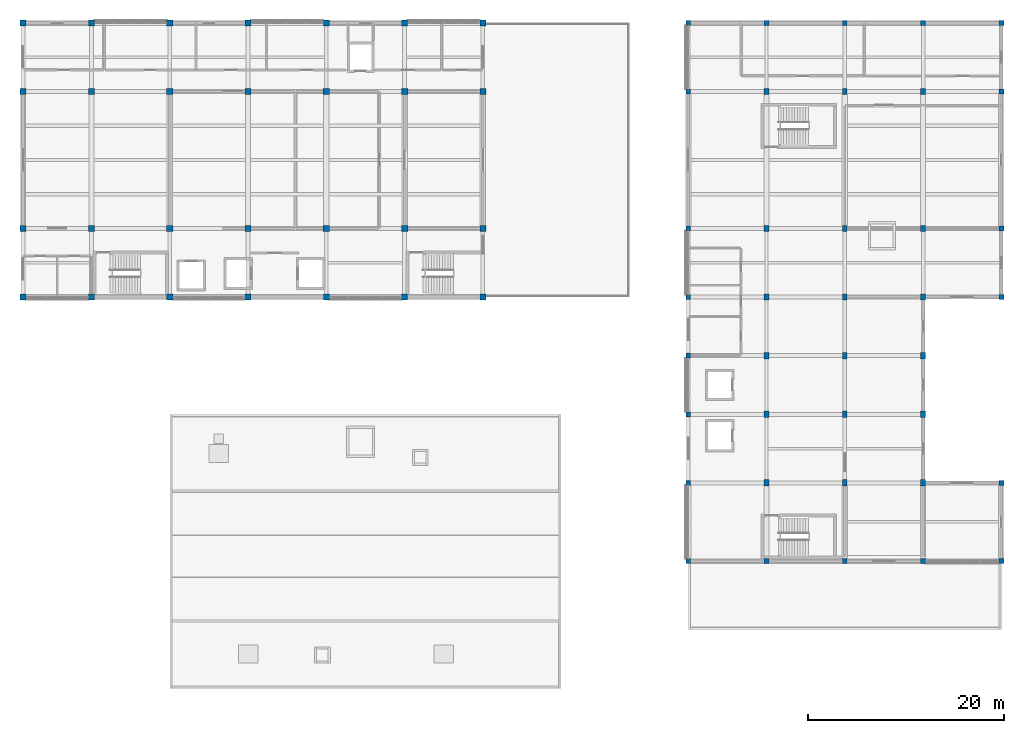
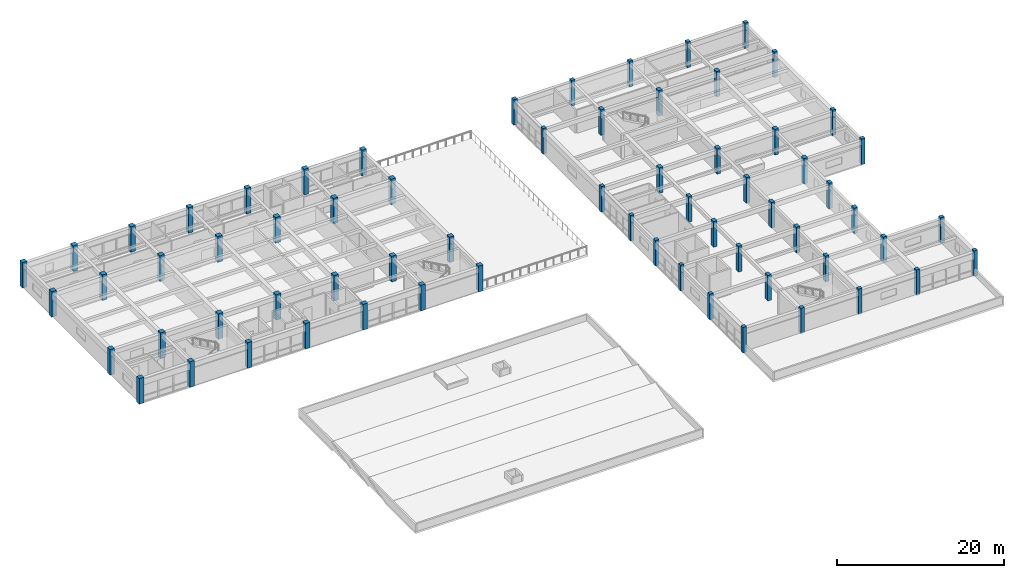
# One storey, part 1 of 22: 66 columns.
"""IFC4 building model written with IfcOpenShell, lengths in metres."""

from ifc_helpers import new_model, si_unit, direction, frame, origin, origin_2d, place, context, subcontext, project, spatial, rectangle, extrude, material, material_profile, profile_set, type_object, element, save


model = new_model("IFC4")

# Units and contexts
model_context = context("Model", 3, precision=1e-05, world=origin(), true_north=direction((0.0, 1.0)))
body_context = subcontext(model_context, "Body", "Model", "MODEL_VIEW")
ifc_project = project(units=[si_unit("LENGTHUNIT", "METRE"), si_unit("AREAUNIT", "SQUARE_METRE"), si_unit("VOLUMEUNIT", "CUBIC_METRE"), si_unit("PLANEANGLEUNIT", "RADIAN"), si_unit("MASSUNIT", "GRAM", prefix="KILO")], contexts=[model_context])

# Site, building, storey
site_placement = place(None, origin())
site = spatial("IfcSite", under=ifc_project, at=site_placement, CompositionType="ELEMENT")
building_placement = place(site_placement, origin())
building = spatial("IfcBuilding", under=site, at=building_placement, Name="Naurynzar Civic Courthouse", CompositionType="ELEMENT")
storey_placement = place(building_placement, frame((0.0, 0.0, 25.800048828125)))
storey = spatial("IfcBuildingStorey", under=building, at=storey_placement, Name="L07", CompositionType="ELEMENT", Elevation=25.800048828125)

# Columns
ifc_material_1 = material(Name="Concrete C40/50", Category="concrete")
ifc_material_profile_1 = material_profile(ifc_material_1, rectangle(XDim=0.5, YDim=0.5, at=origin_2d()), Name="RC 500x500")
ifc_profile_set_1 = profile_set([ifc_material_profile_1], Name="Concrete C40/50")
column_type_1 = type_object("IfcColumnType", Name="COL-RC-500x500", PredefinedType="COLUMN", material=ifc_profile_set_1)
for number, where, z_axis, x_axis, name in (
    (1, (130.0, 17.0, 0.0), (0.0, 0.0, 1.0), (1.0, 0.0, 0.0), "V5 column (130.0,17.0) L07"),
    (2, (130.0, 25.0, 0.0), (0.0, 0.0, 1.0), (1.0, 0.0, 0.0), "V5 column (130.0,25.0) L07"),
    (3, (130.0, 32.0, 0.0), (0.0, 0.0, 1.0), (1.0, 0.0, 0.0), "V5 column (130.0,32.0) L07"),
    (4, (130.0, 38.0, 0.0), (0.0, 0.0, 1.0), (1.0, 0.0, 0.0), "V5 column (130.0,38.0) L07"),
    (5, (130.0, 44.0, 0.0), (0.0, 0.0, 1.0), (1.0, 0.0, 0.0), "V5 column (130.0,44.0) L07"),
    (6, (130.0, 51.0, 0.0), (0.0, 0.0, 1.0), (1.0, 0.0, 0.0), "V5 column (130.0,51.0) L07"),
    (7, (130.0, 65.0, 0.0), (0.0, 0.0, 1.0), (1.0, 0.0, 0.0), "V5 column (130.0,65.0) L07"),
    (8, (130.0, 72.0, 0.0), (0.0, 0.0, 1.0), (1.0, 0.0, 0.0), "V5 column (130.0,72.0) L07"),
    (9, (138.0, 17.0, 0.0), (0.0, 0.0, 1.0), (1.0, 0.0, 0.0), "V5 column (138.0,17.0) L07"),
    (10, (138.0, 72.0, 0.0), (0.0, 0.0, 1.0), (1.0, 0.0, 0.0), "V5 column (138.0,72.0) L07"),
    (11, (146.0, 17.0, 0.0), (0.0, 0.0, 1.0), (1.0, 0.0, 0.0), "V5 column (146.0,17.0) L07"),
    (12, (146.0, 72.0, 0.0), (0.0, 0.0, 1.0), (1.0, 0.0, 0.0), "V5 column (146.0,72.0) L07"),
    (13, (154.0, 17.0, 0.0), (0.0, 0.0, 1.0), (1.0, 0.0, 0.0), "V5 column (154.0,17.0) L07"),
    (14, (154.0, 72.0, 0.0), (0.0, 0.0, 1.0), (1.0, 0.0, 0.0), "V5 column (154.0,72.0) L07"),
    (15, (162.0, 17.0, 0.0), (0.0, 0.0, 1.0), (1.0, 0.0, 0.0), "V5 column (162.0,17.0) L07"),
    (16, (162.0, 25.0, 0.0), (0.0, 0.0, 1.0), (1.0, 0.0, 0.0), "V5 column (162.0,25.0) L07"),
    (17, (162.0, 44.0, 0.0), (0.0, 0.0, 1.0), (1.0, 0.0, 0.0), "V5 column (162.0,44.0) L07"),
    (18, (162.0, 51.0, 0.0), (0.0, 0.0, 1.0), (1.0, 0.0, 0.0), "V5 column (162.0,51.0) L07"),
    (19, (162.0, 65.0, 0.0), (0.0, 0.0, 1.0), (1.0, 0.0, 0.0), "V5 column (162.0,65.0) L07"),
    (20, (162.0, 72.0, 0.0), (0.0, 0.0, 1.0), (1.0, 0.0, 0.0), "V5 column (162.0,72.0) L07"),
):
    element("IfcColumn", number, at=place(storey_placement, frame(where, z_axis=z_axis, x_axis=x_axis)), inside=storey, type_object=column_type_1, Name=name, PredefinedType="COLUMN", context=body_context, shape_type="SweptSolid", body=[
        extrude(rectangle(XDim=0.5, YDim=0.5, at=origin_2d()), origin(), (0.0, 0.0, 1.0), 3.75),
    ])
ifc_material_2 = material(Name="Concrete C40/50", Category="concrete")
ifc_material_profile_2 = material_profile(ifc_material_2, rectangle(XDim=0.5, YDim=0.64990234375, at=origin_2d()), Name="RC 500x650")
ifc_profile_set_2 = profile_set([ifc_material_profile_2], Name="Concrete C40/50")
column_type_2 = type_object("IfcColumnType", Name="COL-RC-500x650", PredefinedType="COLUMN", material=ifc_profile_set_2)
for number, where, z_axis, x_axis, name in (
    (21, (138.0, 25.0, 0.0), (0.0, 0.0, 1.0), (1.0, 0.0, 0.0), "V5 column (138.0,25.0) L07"),
    (22, (138.0, 32.0, 0.0), (0.0, 0.0, 1.0), (1.0, 0.0, 0.0), "V5 column (138.0,32.0) L07"),
    (23, (138.0, 38.0, 0.0), (0.0, 0.0, 1.0), (1.0, 0.0, 0.0), "V5 column (138.0,38.0) L07"),
    (24, (138.0, 44.0, 0.0), (0.0, 0.0, 1.0), (1.0, 0.0, 0.0), "V5 column (138.0,44.0) L07"),
    (25, (138.0, 51.0, 0.0), (0.0, 0.0, 1.0), (1.0, 0.0, 0.0), "V5 column (138.0,51.0) L07"),
    (26, (138.0, 65.0, 0.0), (0.0, 0.0, 1.0), (1.0, 0.0, 0.0), "V5 column (138.0,65.0) L07"),
    (27, (146.0, 25.0, 0.0), (0.0, 0.0, 1.0), (1.0, 0.0, 0.0), "V5 column (146.0,25.0) L07"),
    (28, (146.0, 32.0, 0.0), (0.0, 0.0, 1.0), (1.0, 0.0, 0.0), "V5 column (146.0,32.0) L07"),
    (29, (146.0, 38.0, 0.0), (0.0, 0.0, 1.0), (1.0, 0.0, 0.0), "V5 column (146.0,38.0) L07"),
    (30, (146.0, 44.0, 0.0), (0.0, 0.0, 1.0), (1.0, 0.0, 0.0), "V5 column (146.0,44.0) L07"),
    (31, (146.0, 51.0, 0.0), (0.0, 0.0, 1.0), (1.0, 0.0, 0.0), "V5 column (146.0,51.0) L07"),
    (32, (146.0, 65.0, 0.0), (0.0, 0.0, 1.0), (1.0, 0.0, 0.0), "V5 column (146.0,65.0) L07"),
    (33, (154.0, 25.0, 0.0), (0.0, 0.0, 1.0), (1.0, 0.0, 0.0), "V5 column (154.0,25.0) L07"),
    (34, (154.0, 32.0, 0.0), (0.0, 0.0, 1.0), (1.0, 0.0, 0.0), "V5 column (154.0,32.0) L07"),
    (35, (154.0, 38.0, 0.0), (0.0, 0.0, 1.0), (1.0, 0.0, 0.0), "V5 column (154.0,38.0) L07"),
    (36, (154.0, 44.0, 0.0), (0.0, 0.0, 1.0), (1.0, 0.0, 0.0), "V5 column (154.0,44.0) L07"),
    (37, (154.0, 51.0, 0.0), (0.0, 0.0, 1.0), (1.0, 0.0, 0.0), "V5 column (154.0,51.0) L07"),
    (38, (154.0, 65.0, 0.0), (0.0, 0.0, 1.0), (1.0, 0.0, 0.0), "V5 column (154.0,65.0) L07"),
):
    element("IfcColumn", number, at=place(storey_placement, frame(where, z_axis=z_axis, x_axis=x_axis)), inside=storey, type_object=column_type_2, Name=name, PredefinedType="COLUMN", context=body_context, shape_type="SweptSolid", body=[
        extrude(rectangle(XDim=0.5, YDim=0.64990234375, at=origin_2d()), origin(), (0.0, 0.0, 1.0), 3.75),
    ])
ifc_material_3 = material(Name="Concrete C40/50", Category="concrete")
ifc_material_profile_3 = material_profile(ifc_material_3, rectangle(XDim=0.625, YDim=0.625, at=origin_2d()), Name="RC 625x625")
ifc_profile_set_3 = profile_set([ifc_material_profile_3], Name="Concrete C40/50")
column_type_3 = type_object("IfcColumnType", Name="COL-RC-625x625", PredefinedType="COLUMN", material=ifc_profile_set_3)
for number, where, z_axis, x_axis, name in (
    (39, (62.0, 44.0, 0.0), (0.0, 0.0, 1.0), (1.0, 0.0, 0.0), "V2 column (62.0,44.0) L07"),
    (40, (62.0, 51.0, 0.0), (0.0, 0.0, 1.0), (1.0, 0.0, 0.0), "V2 column (62.0,51.0) L07"),
    (41, (62.0, 65.0, 0.0), (0.0, 0.0, 1.0), (1.0, 0.0, 0.0), "V2 column (62.0,65.0) L07"),
    (42, (62.0, 72.0, 0.0), (0.0, 0.0, 1.0), (1.0, 0.0, 0.0), "V2 column (62.0,72.0) L07"),
    (43, (69.0, 44.0, 0.0), (0.0, 0.0, 1.0), (1.0, 0.0, 0.0), "V2 column (69.0,44.0) L07"),
    (44, (69.0, 72.0, 0.0), (0.0, 0.0, 1.0), (1.0, 0.0, 0.0), "V2 column (69.0,72.0) L07"),
    (45, (77.0, 44.0, 0.0), (0.0, 0.0, 1.0), (1.0, 0.0, 0.0), "V2 column (77.0,44.0) L07"),
    (46, (77.0, 72.0, 0.0), (0.0, 0.0, 1.0), (1.0, 0.0, 0.0), "V2 column (77.0,72.0) L07"),
    (47, (85.0, 44.0, 0.0), (0.0, 0.0, 1.0), (1.0, 0.0, 0.0), "V2 column (85.0,44.0) L07"),
    (48, (85.0, 72.0, 0.0), (0.0, 0.0, 1.0), (1.0, 0.0, 0.0), "V2 column (85.0,72.0) L07"),
    (49, (93.0, 44.0, 0.0), (0.0, 0.0, 1.0), (1.0, 0.0, 0.0), "V2 column (93.0,44.0) L07"),
    (50, (93.0, 72.0, 0.0), (0.0, 0.0, 1.0), (1.0, 0.0, 0.0), "V2 column (93.0,72.0) L07"),
    (51, (101.0, 44.0, 0.0), (0.0, 0.0, 1.0), (1.0, 0.0, 0.0), "V2 column (101.0,44.0) L07"),
    (52, (101.0, 72.0, 0.0), (0.0, 0.0, 1.0), (1.0, 0.0, 0.0), "V2 column (101.0,72.0) L07"),
    (53, (109.0, 44.0, 0.0), (0.0, 0.0, 1.0), (1.0, 0.0, 0.0), "V2 column (109.0,44.0) L07"),
    (54, (109.0, 51.0, 0.0), (0.0, 0.0, 1.0), (1.0, 0.0, 0.0), "V2 column (109.0,51.0) L07"),
    (55, (109.0, 65.0, 0.0), (0.0, 0.0, 1.0), (1.0, 0.0, 0.0), "V2 column (109.0,65.0) L07"),
    (56, (109.0, 72.0, 0.0), (0.0, 0.0, 1.0), (1.0, 0.0, 0.0), "V2 column (109.0,72.0) L07"),
):
    element("IfcColumn", number, at=place(storey_placement, frame(where, z_axis=z_axis, x_axis=x_axis)), inside=storey, type_object=column_type_3, Name=name, PredefinedType="COLUMN", context=body_context, shape_type="SweptSolid", body=[
        extrude(rectangle(XDim=0.625, YDim=0.625, at=origin_2d()), origin(), (0.0, 0.0, 1.0), 3.75),
    ])
ifc_material_4 = material(Name="Concrete C40/50", Category="concrete")
ifc_material_profile_4 = material_profile(ifc_material_4, rectangle(XDim=0.64990234375, YDim=0.64990234375, at=origin_2d()), Name="RC 650x650")
ifc_profile_set_4 = profile_set([ifc_material_profile_4], Name="Concrete C40/50")
column_type_4 = type_object("IfcColumnType", Name="COL-RC-650", PredefinedType="COLUMN", material=ifc_profile_set_4)
for number, where, z_axis, x_axis, name in (
    (57, (69.0, 51.0, 0.0), (0.0, 0.0, 1.0), (1.0, 0.0, 0.0), "V2 column (69.0,51.0) L07"),
    (58, (69.0, 65.0, 0.0), (0.0, 0.0, 1.0), (1.0, 0.0, 0.0), "V2 column (69.0,65.0) L07"),
    (59, (77.0, 51.0, 0.0), (0.0, 0.0, 1.0), (1.0, 0.0, 0.0), "V2 column (77.0,51.0) L07"),
    (60, (77.0, 65.0, 0.0), (0.0, 0.0, 1.0), (1.0, 0.0, 0.0), "V2 column (77.0,65.0) L07"),
    (61, (85.0, 51.0, 0.0), (0.0, 0.0, 1.0), (1.0, 0.0, 0.0), "V2 column (85.0,51.0) L07"),
    (62, (85.0, 65.0, 0.0), (0.0, 0.0, 1.0), (1.0, 0.0, 0.0), "V2 column (85.0,65.0) L07"),
    (63, (93.0, 51.0, 0.0), (0.0, 0.0, 1.0), (1.0, 0.0, 0.0), "V2 column (93.0,51.0) L07"),
    (64, (93.0, 65.0, 0.0), (0.0, 0.0, 1.0), (1.0, 0.0, 0.0), "V2 column (93.0,65.0) L07"),
    (65, (101.0, 51.0, 0.0), (0.0, 0.0, 1.0), (1.0, 0.0, 0.0), "V2 column (101.0,51.0) L07"),
    (66, (101.0, 65.0, 0.0), (0.0, 0.0, 1.0), (1.0, 0.0, 0.0), "V2 column (101.0,65.0) L07"),
):
    element("IfcColumn", number, at=place(storey_placement, frame(where, z_axis=z_axis, x_axis=x_axis)), inside=storey, type_object=column_type_4, Name=name, PredefinedType="COLUMN", context=body_context, shape_type="SweptSolid", body=[
        extrude(rectangle(XDim=0.64990234375, YDim=0.64990234375, at=origin_2d()), origin(), (0.0, 0.0, 1.0), 3.75),
    ])

save(model, "model.ifc")
